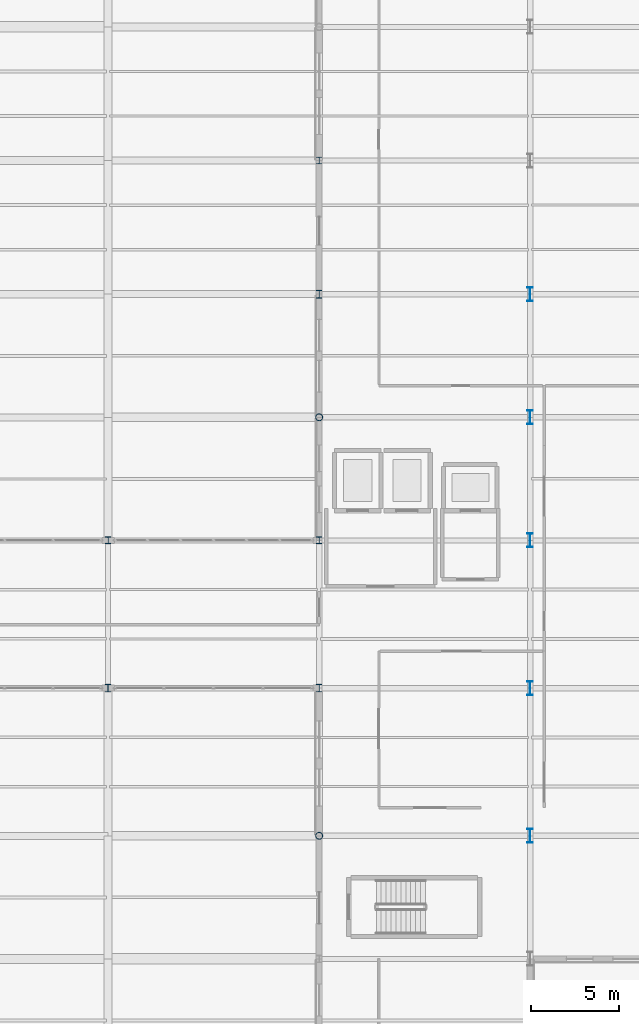
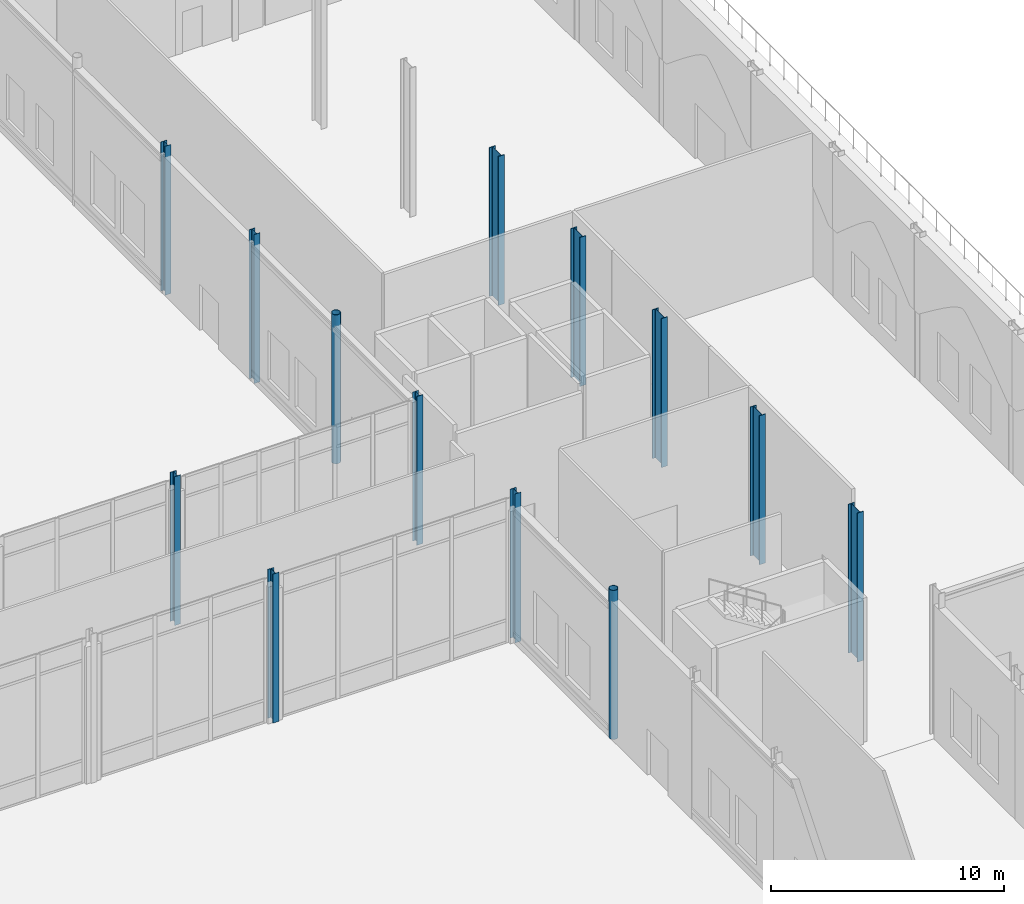
# One storey, part 20 of 176: 13 columns.
"""IFC4 building model written with IfcOpenShell, lengths in metres."""

from ifc_helpers import new_model, si_unit, direction, frame, origin, origin_2d, place, context, subcontext, project, spatial, hollow_circle, i_section, extrude, material, material_profile, profile_set, type_object, element, save


model = new_model("IFC4")

# Units and contexts
model_context = context("Model", 3, precision=1e-05, world=origin(), true_north=direction((0.0, 1.0)))
body_context = subcontext(model_context, "Body", "Model", "MODEL_VIEW")
ifc_project = project(units=[si_unit("LENGTHUNIT", "METRE"), si_unit("AREAUNIT", "SQUARE_METRE"), si_unit("VOLUMEUNIT", "CUBIC_METRE"), si_unit("PLANEANGLEUNIT", "RADIAN"), si_unit("MASSUNIT", "GRAM", prefix="KILO")], contexts=[model_context])

# Site, building, storey
site_placement = place(None, origin())
site = spatial("IfcSite", under=ifc_project, at=site_placement, CompositionType="ELEMENT")
building_placement = place(site_placement, origin())
building = spatial("IfcBuilding", under=site, at=building_placement, Name="Vekula Escarpment Museum", CompositionType="ELEMENT")
storey_placement = place(building_placement, origin())
storey = spatial("IfcBuildingStorey", under=building, at=storey_placement, Name="L01", CompositionType="ELEMENT", Elevation=0.0)

# Columns
ifc_material_1 = material(Name="Steel S355", Category="steel")
ifc_material_profile_1 = material_profile(ifc_material_1, hollow_circle(Radius=0.203125, WallThickness=0.02001953125, at=origin_2d()), Name="CHS 406.4x20")
ifc_profile_set_1 = profile_set([ifc_material_profile_1], Name="Steel S355")
column_type_1 = type_object("IfcColumnType", Name="COL-S-CHS406", PredefinedType="COLUMN", material=ifc_profile_set_1)
for number, where, z_axis, x_axis, name in (
    (1, (167.0, 59.60009765625, 0.0), (0.0, 0.0, 1.0), (1.0, 0.0, 0.0), "Column L01 (167.0,59.6)"),
    (2, (167.0, 83.39990234375, 0.0), (0.0, 0.0, 1.0), (1.0, 0.0, 0.0), "Column L01 (167.0,83.4)"),
):
    element("IfcColumn", number, at=place(storey_placement, frame(where, z_axis=z_axis, x_axis=x_axis)), inside=storey, type_object=column_type_1, Name=name, PredefinedType="COLUMN", context=body_context, shape_type="SweptSolid", body=[
        extrude(hollow_circle(Radius=0.203125, WallThickness=0.02001953125, at=origin_2d()), origin(), (0.0, 0.0, 1.0), 7.800048828125),
    ])
ifc_material_2 = material(Name="Steel S355", Category="steel")
ifc_material_profile_2 = material_profile(ifc_material_2, i_section(OverallWidth=0.300048828125, OverallDepth=0.389892578125, WebThickness=0.010986328125, FlangeThickness=0.01904296875, FilletRadius=0.027099609375, at=origin_2d()), Name="HEA 400")
ifc_profile_set_2 = profile_set([ifc_material_profile_2], Name="Steel S355")
column_type_2 = type_object("IfcColumnType", Name="COL-S-HEA400", PredefinedType="COLUMN", material=ifc_profile_set_2)
for number, where, z_axis, x_axis, name in (
    (3, (155.0, 76.39990234375, 0.0), (0.0, 0.0, 1.0), (1.0, 0.0, 0.0), "Column L01 (155.0,76.4)"),
    (4, (167.0, 76.39990234375, 0.0), (0.0, 0.0, 1.0), (1.0, 0.0, 0.0), "Column L01 (167.0,76.4)"),
    (5, (167.0, 98.0, 0.0), (0.0, 0.0, 1.0), (1.0, 0.0, 0.0), "Column L01 (167.0,98.0)"),
):
    element("IfcColumn", number, at=place(storey_placement, frame(where, z_axis=z_axis, x_axis=x_axis)), inside=storey, type_object=column_type_2, Name=name, PredefinedType="COLUMN", context=body_context, shape_type="SweptSolid", body=[
        extrude(i_section(OverallWidth=0.300048828125, OverallDepth=0.389892578125, WebThickness=0.010986328125, FlangeThickness=0.01904296875, FilletRadius=0.027099609375, at=origin_2d()), origin(), (0.0, 0.0, 1.0), 7.800048828125),
    ])
ifc_material_3 = material(Name="Steel S355", Category="steel")
ifc_material_profile_3 = material_profile(ifc_material_3, i_section(OverallWidth=0.300048828125, OverallDepth=0.43994140625, WebThickness=0.011474609375, FlangeThickness=0.02099609375, FilletRadius=0.027099609375, at=origin_2d()), Name="HEA 450")
ifc_profile_set_3 = profile_set([ifc_material_profile_3], Name="Steel S355")
column_type_3 = type_object("IfcColumnType", Name="COL-S-HEA450", PredefinedType="COLUMN", material=ifc_profile_set_3)
for number, where, z_axis, x_axis, name in (
    (6, (155.0, 68.0, 0.0), (0.0, 0.0, 1.0), (1.0, 0.0, 0.0), "Column L01 (155.0,68.0)"),
    (7, (167.0, 68.0, 0.0), (0.0, 0.0, 1.0), (1.0, 0.0, 0.0), "Column L01 (167.0,68.0)"),
    (8, (167.0, 90.39990234375, 0.0), (0.0, 0.0, 1.0), (1.0, 0.0, 0.0), "Column L01 (167.0,90.4)"),
):
    element("IfcColumn", number, at=place(storey_placement, frame(where, z_axis=z_axis, x_axis=x_axis)), inside=storey, type_object=column_type_3, Name=name, PredefinedType="COLUMN", context=body_context, shape_type="SweptSolid", body=[
        extrude(i_section(OverallWidth=0.300048828125, OverallDepth=0.43994140625, WebThickness=0.011474609375, FlangeThickness=0.02099609375, FilletRadius=0.027099609375, at=origin_2d()), origin(), (0.0, 0.0, 1.0), 7.800048828125),
    ])
ifc_material_4 = material(Name="Steel S355", Category="steel")
ifc_material_profile_4 = material_profile(ifc_material_4, i_section(OverallWidth=0.300048828125, OverallDepth=0.800048828125, WebThickness=0.017578125, FlangeThickness=0.032958984375, FilletRadius=0.030029296875, at=origin_2d()), Name="HEB 800")
ifc_profile_set_4 = profile_set([ifc_material_profile_4], Name="Steel S355")
column_type_4 = type_object("IfcColumnType", Name="COL-S-HEB800", PredefinedType="COLUMN", material=ifc_profile_set_4)
for number, where, z_axis, x_axis, name in (
    (9, (179.0, 59.60009765625, 0.0), (0.0, 0.0, 1.0), (1.0, 0.0, 0.0), "Column L01 (179.0,59.6)"),
    (10, (179.0, 68.0, 0.0), (0.0, 0.0, 1.0), (1.0, 0.0, 0.0), "Column L01 (179.0,68.0)"),
    (11, (179.0, 76.39990234375, 0.0), (0.0, 0.0, 1.0), (1.0, 0.0, 0.0), "Column L01 (179.0,76.4)"),
    (12, (179.0, 83.39990234375, 0.0), (0.0, 0.0, 1.0), (1.0, 0.0, 0.0), "Column L01 (179.0,83.4)"),
    (13, (179.0, 90.39990234375, 0.0), (0.0, 0.0, 1.0), (1.0, 0.0, 0.0), "Column L01 (179.0,90.4)"),
):
    element("IfcColumn", number, at=place(storey_placement, frame(where, z_axis=z_axis, x_axis=x_axis)), inside=storey, type_object=column_type_4, Name=name, PredefinedType="COLUMN", context=body_context, shape_type="SweptSolid", body=[
        extrude(i_section(OverallWidth=0.300048828125, OverallDepth=0.800048828125, WebThickness=0.017578125, FlangeThickness=0.032958984375, FilletRadius=0.030029296875, at=origin_2d()), origin(), (0.0, 0.0, 1.0), 7.800048828125),
    ])

save(model, "model.ifc")
